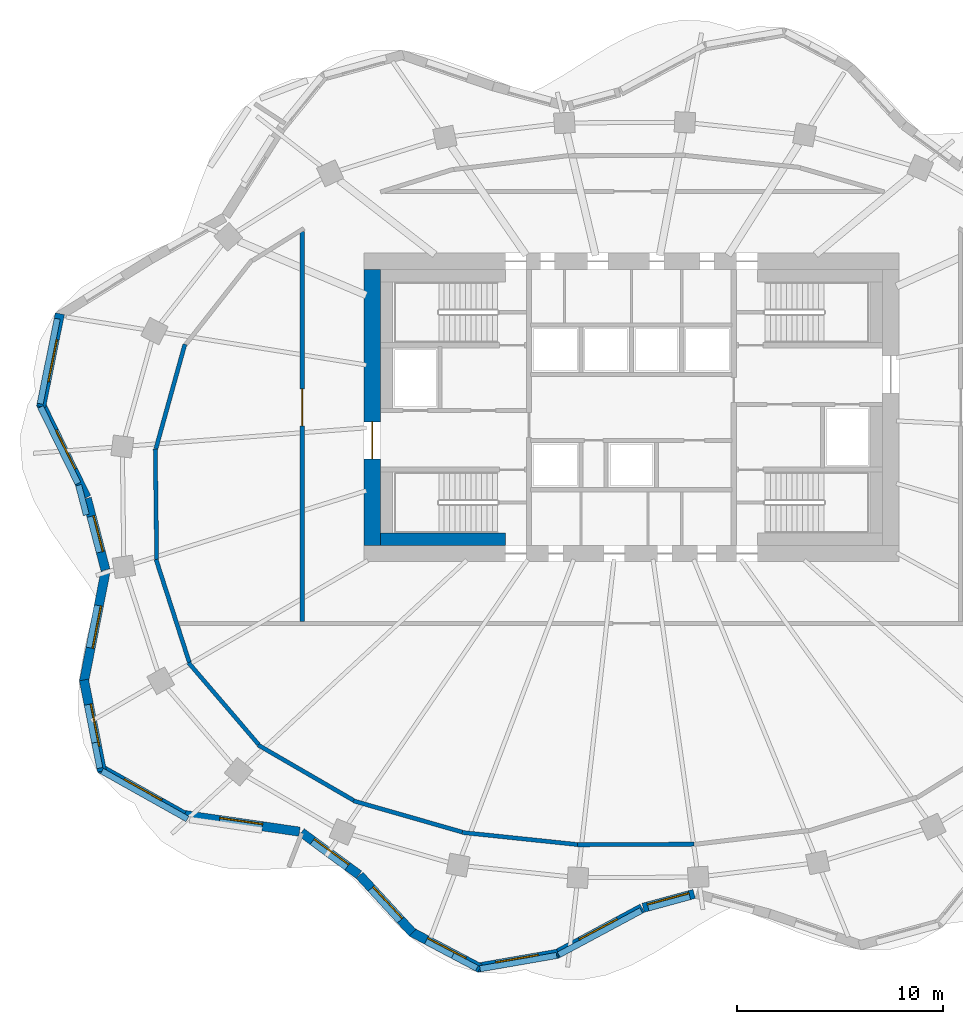
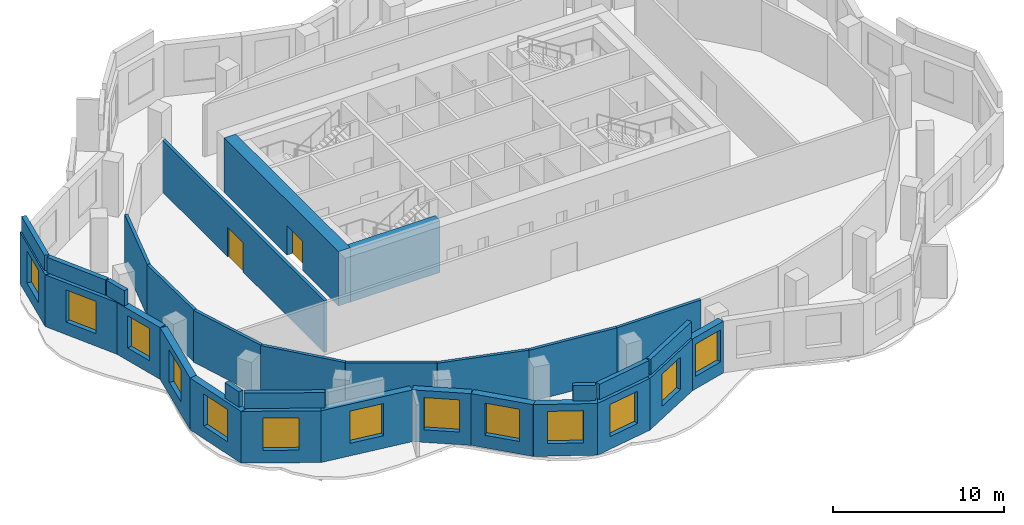
# One storey, part 3 of 8: 32 walls, 13 windows, 2 doors, 15 openings.
"""IFC4 building model written with IfcOpenShell, lengths in metres."""

from ifc_helpers import new_model, si_unit, direction, frame, frame_2d, origin, place, context, subcontext, project, spatial, rectangle, extrude, material, layer, layer_set, type_object, element, fill, save


model = new_model("IFC4")

# Units and contexts
model_context = context("Model", 3, precision=1e-05, world=origin(), true_north=direction((0.0, 1.0)))
body_context = subcontext(model_context, "Body", "Model", "MODEL_VIEW")
ifc_project = project(units=[si_unit("LENGTHUNIT", "METRE"), si_unit("AREAUNIT", "SQUARE_METRE"), si_unit("VOLUMEUNIT", "CUBIC_METRE"), si_unit("PLANEANGLEUNIT", "RADIAN"), si_unit("MASSUNIT", "GRAM", prefix="KILO")], contexts=[model_context])

# Site, building, storey
site_placement = place(None, origin())
site = spatial("IfcSite", under=ifc_project, at=site_placement, CompositionType="ELEMENT")
building_placement = place(site_placement, origin())
building = spatial("IfcBuilding", under=site, at=building_placement, Name="Rubra Terraces Tower", CompositionType="ELEMENT")
storey_placement = place(building_placement, frame((0.0, 0.0, 193.5)))
storey = spatial("IfcBuildingStorey", under=building, at=storey_placement, Name="L47", CompositionType="ELEMENT", Elevation=193.5)

# Wall, opening, window
ifc_material_1 = material(Name="Brick masonry red-brown", Category="masonry")
ifc_layer_1 = layer(ifc_material_1, 0.449951171875)
ifc_layer_set_1 = layer_set([ifc_layer_1], Name="Brick masonry red-brown")
wall_type_1 = type_object("IfcWallType", Name="Brick facade wall 450", PredefinedType="SOLIDWALL", material=ifc_layer_set_1)
wall_1_placement = place(storey_placement, frame((-27.779541015625, 9.053466796875, 0.0), z_axis=(0.0, 0.0, 1.0), x_axis=(-0.197796229105, -0.980243159503, 0.0)))
wall_1 = element("IfcWall", 1, at=wall_1_placement, inside=storey, type_object=wall_type_1, Name="Facade wall L47 bay 19", PredefinedType="SOLIDWALL", context=body_context, shape_type="SweptSolid", body=[
    extrude(rectangle(XDim=4.610107421875, YDim=0.449951171875, at=frame_2d((2.30517578125, 0.0))), origin(), (0.0, 0.0, 1.0), 3.699951171875),
])
opening_1_placement = place(wall_1_placement, frame((1.255126953125, 0.0, 0.89990234375)))
opening_1 = element("IfcOpeningElement", 2, at=opening_1_placement, cuts=wall_1, Name="Opening W1B", PredefinedType="OPENING", context=body_context, shape_type="SweptSolid", body=[
    extrude(rectangle(XDim=2.10009765625, YDim=2.300048828125, at=frame_2d((1.050048828125, 1.14990234375))), frame((0.0, 0.23486328125, 0.0), z_axis=(0.0, -1.0, 0.0), x_axis=(1.0, 0.0, 0.0)), (0.0, 0.0, 1.0), 0.469970703125),
])
ifc_material_2 = material(Name="Clear glass in aluminium frame", Category="aluminium")
window_type_1 = type_object("IfcWindowType", Name="Fixed deep-set window tall storey 2100 x 2300", PartitioningType="SINGLE_PANEL", PredefinedType="WINDOW", material=ifc_material_2)
window_1_placement = place(opening_1_placement, origin())
window_1 = element("IfcWindow", 3, at=window_1_placement, inside=storey, type_object=window_type_1, Name="Window L47 bay 19", OverallHeight=2.300048828125, OverallWidth=2.10009765625, PartitioningType="SINGLE_PANEL", PredefinedType="WINDOW", context=body_context, shape_type="SweptSolid", body=[
    extrude(rectangle(XDim=2.10009765625, YDim=2.300048828125, at=frame_2d((1.050048828125, 1.14990234375))), frame((0.0, 0.135009765625, 0.0), z_axis=(0.0, -1.0, 0.0), x_axis=(1.0, 0.0, 0.0)), (0.0, 0.0, 1.0), 0.06005859375),
])
fill(opening_1, window_1)

wall_2_placement = place(storey_placement, frame((-28.70703125, 4.672119140625, 0.0), z_axis=(0.0, 0.0, 1.0), x_axis=(0.439053549989, -0.898460895221, 0.0)))
wall_2 = element("IfcWall", 4, at=wall_2_placement, inside=storey, type_object=wall_type_1, Name="Facade wall L47 bay 20", PredefinedType="SOLIDWALL", context=body_context, shape_type="SweptSolid", body=[
    extrude(rectangle(XDim=5.061767578125, YDim=0.449951171875, at=frame_2d((2.53076171875, 0.0))), origin(), (0.0, 0.0, 1.0), 3.699951171875),
])
opening_2_placement = place(wall_2_placement, frame((1.48095703125, 0.0, 0.89990234375)))
opening_2 = element("IfcOpeningElement", 5, at=opening_2_placement, cuts=wall_2, Name="Opening W1B", PredefinedType="OPENING", context=body_context, shape_type="SweptSolid", body=[
    extrude(rectangle(XDim=2.10009765625, YDim=2.300048828125, at=frame_2d((1.050048828125, 1.14990234375))), frame((0.0, 0.23486328125, 0.0), z_axis=(0.0, -1.0, 0.0), x_axis=(1.0, 0.0, 0.0)), (0.0, 0.0, 1.0), 0.469970703125),
])
window_2_placement = place(opening_2_placement, origin())
window_2 = element("IfcWindow", 6, at=window_2_placement, inside=storey, type_object=window_type_1, Name="Window L47 bay 20", OverallHeight=2.300048828125, OverallWidth=2.10009765625, PartitioningType="SINGLE_PANEL", PredefinedType="WINDOW", context=body_context, shape_type="SweptSolid", body=[
    extrude(rectangle(XDim=2.10009765625, YDim=2.300048828125, at=frame_2d((1.050048828125, 1.14990234375))), frame((0.0, 0.135009765625, 0.0), z_axis=(0.0, -1.0, 0.0), x_axis=(1.0, 0.0, 0.0)), (0.0, 0.0, 1.0), 0.06005859375),
])
fill(opening_2, window_2)

wall_3_placement = place(storey_placement, frame((-26.469482421875, 0.0791015625, 0.0), z_axis=(0.0, 0.0, 1.0), x_axis=(0.252446779859, -0.967610780913, 0.0)))
wall_3 = element("IfcWall", 7, at=wall_3_placement, inside=storey, type_object=wall_type_1, Name="Facade wall L47 bay 21", PredefinedType="SOLIDWALL", context=body_context, shape_type="SweptSolid", body=[
    extrude(rectangle(XDim=3.5947265625, YDim=0.449951171875, at=frame_2d((1.79736328125, 0.0))), origin(), (0.0, 0.0, 1.0), 3.699951171875),
])
opening_3_placement = place(wall_3_placement, frame((0.897216796875, 0.0, 0.89990234375)))
opening_3 = element("IfcOpeningElement", 8, at=opening_3_placement, cuts=wall_3, Name="Opening W6B", PredefinedType="OPENING", context=body_context, shape_type="SweptSolid", body=[
    extrude(rectangle(XDim=1.800048828125, YDim=2.300048828125, at=frame_2d((0.89990234375, 1.14990234375))), frame((0.0, 0.23486328125, 0.0), z_axis=(0.0, -1.0, 0.0), x_axis=(1.0, 0.0, 0.0)), (0.0, 0.0, 1.0), 0.469970703125),
])
window_type_2 = type_object("IfcWindowType", Name="Fixed deep-set window at wind fin tall storey 1800 x 2300", PartitioningType="SINGLE_PANEL", PredefinedType="WINDOW", material=ifc_material_2)
window_3_placement = place(opening_3_placement, origin())
window_3 = element("IfcWindow", 9, at=window_3_placement, inside=storey, type_object=window_type_2, Name="Window L47 bay 21", OverallHeight=2.300048828125, OverallWidth=1.800048828125, PartitioningType="SINGLE_PANEL", PredefinedType="WINDOW", context=body_context, shape_type="SweptSolid", body=[
    extrude(rectangle(XDim=1.800048828125, YDim=2.300048828125, at=frame_2d((0.89990234375, 1.14990234375))), frame((0.0, 0.135009765625, 0.0), z_axis=(0.0, -1.0, 0.0), x_axis=(1.0, 0.0, 0.0)), (0.0, 0.0, 1.0), 0.06005859375),
])
fill(opening_3, window_3)

wall_4_placement = place(storey_placement, frame((-25.561279296875, -3.490478515625, 0.0), z_axis=(0.0, 0.0, 1.0), x_axis=(-0.192494026297, -0.981298145234, 0.0)))
wall_4 = element("IfcWall", 10, at=wall_4_placement, inside=storey, type_object=wall_type_1, Name="Facade wall L47 bay 22", PredefinedType="SOLIDWALL", context=body_context, shape_type="SweptSolid", body=[
    extrude(rectangle(XDim=5.446044921875, YDim=0.449951171875, at=frame_2d((2.72314453125, 0.0))), origin(), (0.0, 0.0, 1.0), 3.699951171875),
])
opening_4_placement = place(wall_4_placement, frame((1.673095703125, 0.0, 0.89990234375)))
opening_4 = element("IfcOpeningElement", 11, at=opening_4_placement, cuts=wall_4, Name="Opening W1B", PredefinedType="OPENING", context=body_context, shape_type="SweptSolid", body=[
    extrude(rectangle(XDim=2.10009765625, YDim=2.300048828125, at=frame_2d((1.050048828125, 1.14990234375))), frame((0.0, 0.23486328125, 0.0), z_axis=(0.0, -1.0, 0.0), x_axis=(1.0, 0.0, 0.0)), (0.0, 0.0, 1.0), 0.469970703125),
])
window_4_placement = place(opening_4_placement, origin())
window_4 = element("IfcWindow", 12, at=window_4_placement, inside=storey, type_object=window_type_1, Name="Window L47 bay 22", OverallHeight=2.300048828125, OverallWidth=2.10009765625, PartitioningType="SINGLE_PANEL", PredefinedType="WINDOW", context=body_context, shape_type="SweptSolid", body=[
    extrude(rectangle(XDim=2.10009765625, YDim=2.300048828125, at=frame_2d((1.050048828125, 1.14990234375))), frame((0.0, 0.135009765625, 0.0), z_axis=(0.0, -1.0, 0.0), x_axis=(1.0, 0.0, 0.0)), (0.0, 0.0, 1.0), 0.06005859375),
])
fill(opening_4, window_4)

wall_5_placement = place(storey_placement, frame((-26.609619140625, -8.747802734375, 0.0), z_axis=(0.0, 0.0, 1.0), x_axis=(0.193923166402, -0.981016720312, 0.0)))
wall_5 = element("IfcWall", 13, at=wall_5_placement, inside=storey, type_object=wall_type_1, Name="Facade wall L47 bay 23", PredefinedType="SOLIDWALL", context=body_context, shape_type="SweptSolid", body=[
    extrude(rectangle(XDim=4.518310546875, YDim=0.449951171875, at=frame_2d((2.25927734375, 0.0))), origin(), (0.0, 0.0, 1.0), 3.699951171875),
])
opening_5_placement = place(wall_5_placement, frame((1.209228515625, 0.0, 0.89990234375)))
opening_5 = element("IfcOpeningElement", 14, at=opening_5_placement, cuts=wall_5, Name="Opening W1B", PredefinedType="OPENING", context=body_context, shape_type="SweptSolid", body=[
    extrude(rectangle(XDim=2.10009765625, YDim=2.300048828125, at=frame_2d((1.050048828125, 1.14990234375))), frame((0.0, 0.23486328125, 0.0), z_axis=(0.0, -1.0, 0.0), x_axis=(1.0, 0.0, 0.0)), (0.0, 0.0, 1.0), 0.469970703125),
])
window_5_placement = place(opening_5_placement, origin())
window_5 = element("IfcWindow", 15, at=window_5_placement, inside=storey, type_object=window_type_1, Name="Window L47 bay 23", OverallHeight=2.300048828125, OverallWidth=2.10009765625, PartitioningType="SINGLE_PANEL", PredefinedType="WINDOW", context=body_context, shape_type="SweptSolid", body=[
    extrude(rectangle(XDim=2.10009765625, YDim=2.300048828125, at=frame_2d((1.050048828125, 1.14990234375))), frame((0.0, 0.135009765625, 0.0), z_axis=(0.0, -1.0, 0.0), x_axis=(1.0, 0.0, 0.0)), (0.0, 0.0, 1.0), 0.06005859375),
])
fill(opening_5, window_5)

wall_6_placement = place(storey_placement, frame((-25.843994140625, -13.027587890625, 0.0), z_axis=(0.0, 0.0, 1.0), x_axis=(0.872346398261, -0.488888291373, 0.0)))
wall_6 = element("IfcWall", 16, at=wall_6_placement, inside=storey, type_object=wall_type_1, Name="Facade wall L47 bay 24", PredefinedType="SOLIDWALL", context=body_context, shape_type="SweptSolid", body=[
    extrude(rectangle(XDim=4.696044921875, YDim=0.449951171875, at=frame_2d((2.34814453125, 0.0))), origin(), (0.0, 0.0, 1.0), 3.699951171875),
])
opening_6_placement = place(wall_6_placement, frame((1.298095703125, 0.0, 0.89990234375)))
opening_6 = element("IfcOpeningElement", 17, at=opening_6_placement, cuts=wall_6, Name="Opening W1B", PredefinedType="OPENING", context=body_context, shape_type="SweptSolid", body=[
    extrude(rectangle(XDim=2.10009765625, YDim=2.300048828125, at=frame_2d((1.050048828125, 1.14990234375))), frame((0.0, 0.23486328125, 0.0), z_axis=(0.0, -1.0, 0.0), x_axis=(1.0, 0.0, 0.0)), (0.0, 0.0, 1.0), 0.469970703125),
])
window_6_placement = place(opening_6_placement, origin())
window_6 = element("IfcWindow", 18, at=window_6_placement, inside=storey, type_object=window_type_1, Name="Window L47 bay 24", OverallHeight=2.300048828125, OverallWidth=2.10009765625, PartitioningType="SINGLE_PANEL", PredefinedType="WINDOW", context=body_context, shape_type="SweptSolid", body=[
    extrude(rectangle(XDim=2.10009765625, YDim=2.300048828125, at=frame_2d((1.050048828125, 1.14990234375))), frame((0.0, 0.135009765625, 0.0), z_axis=(0.0, -1.0, 0.0), x_axis=(1.0, 0.0, 0.0)), (0.0, 0.0, 1.0), 0.06005859375),
])
fill(opening_6, window_6)

wall_7_placement = place(storey_placement, frame((-21.8251953125, -15.297119140625, 0.0), z_axis=(0.0, 0.0, 1.0), x_axis=(0.98971474215, -0.143054986527, 0.0)))
wall_7 = element("IfcWall", 19, at=wall_7_placement, inside=storey, type_object=wall_type_1, Name="Facade wall L47 bay 25", PredefinedType="SOLIDWALL", context=body_context, shape_type="SweptSolid", body=[
    extrude(rectangle(XDim=5.7529296875, YDim=0.449951171875, at=frame_2d((2.87646484375, 0.0))), origin(), (0.0, 0.0, 1.0), 3.699951171875),
])
opening_7_placement = place(wall_7_placement, frame((1.826416015625, 0.0, 0.89990234375)))
opening_7 = element("IfcOpeningElement", 20, at=opening_7_placement, cuts=wall_7, Name="Opening W1B", PredefinedType="OPENING", context=body_context, shape_type="SweptSolid", body=[
    extrude(rectangle(XDim=2.10009765625, YDim=2.300048828125, at=frame_2d((1.050048828125, 1.14990234375))), frame((0.0, 0.23486328125, 0.0), z_axis=(0.0, -1.0, 0.0), x_axis=(1.0, 0.0, 0.0)), (0.0, 0.0, 1.0), 0.469970703125),
])
window_7_placement = place(opening_7_placement, origin())
window_7 = element("IfcWindow", 21, at=window_7_placement, inside=storey, type_object=window_type_1, Name="Window L47 bay 25", OverallHeight=2.300048828125, OverallWidth=2.10009765625, PartitioningType="SINGLE_PANEL", PredefinedType="WINDOW", context=body_context, shape_type="SweptSolid", body=[
    extrude(rectangle(XDim=2.10009765625, YDim=2.300048828125, at=frame_2d((1.050048828125, 1.14990234375))), frame((0.0, 0.135009765625, 0.0), z_axis=(0.0, -1.0, 0.0), x_axis=(1.0, 0.0, 0.0)), (0.0, 0.0, 1.0), 0.06005859375),
])
fill(opening_7, window_7)

wall_8_placement = place(storey_placement, frame((-16.03564453125, -16.15771484375, 0.0), z_axis=(0.0, 0.0, 1.0), x_axis=(0.805181432967, -0.593028549064, 0.0)))
wall_8 = element("IfcWall", 22, at=wall_8_placement, inside=storey, type_object=wall_type_1, Name="Facade wall L47 bay 26", PredefinedType="SOLIDWALL", context=body_context, shape_type="SweptSolid", body=[
    extrude(rectangle(XDim=3.468505859375, YDim=0.449951171875, at=frame_2d((1.734375, 0.0))), origin(), (0.0, 0.0, 1.0), 3.699951171875),
])
opening_8_placement = place(wall_8_placement, frame((0.684326171875, 0.0, 0.89990234375)))
opening_8 = element("IfcOpeningElement", 23, at=opening_8_placement, cuts=wall_8, Name="Opening W1B", PredefinedType="OPENING", context=body_context, shape_type="SweptSolid", body=[
    extrude(rectangle(XDim=2.10009765625, YDim=2.300048828125, at=frame_2d((1.050048828125, 1.14990234375))), frame((0.0, 0.23486328125, 0.0), z_axis=(0.0, -1.0, 0.0), x_axis=(1.0, 0.0, 0.0)), (0.0, 0.0, 1.0), 0.469970703125),
])
window_8_placement = place(opening_8_placement, origin())
window_8 = element("IfcWindow", 24, at=window_8_placement, inside=storey, type_object=window_type_1, Name="Window L47 bay 26", OverallHeight=2.300048828125, OverallWidth=2.10009765625, PartitioningType="SINGLE_PANEL", PredefinedType="WINDOW", context=body_context, shape_type="SweptSolid", body=[
    extrude(rectangle(XDim=2.10009765625, YDim=2.300048828125, at=frame_2d((1.050048828125, 1.14990234375))), frame((0.0, 0.135009765625, 0.0), z_axis=(0.0, -1.0, 0.0), x_axis=(1.0, 0.0, 0.0)), (0.0, 0.0, 1.0), 0.06005859375),
])
fill(opening_8, window_8)

wall_9_placement = place(storey_placement, frame((-13.20947265625, -18.242919921875, 0.0), z_axis=(0.0, 0.0, 1.0), x_axis=(0.677612152497, -0.735419452278, 0.0)))
wall_9 = element("IfcWall", 25, at=wall_9_placement, inside=storey, type_object=wall_type_1, Name="Facade wall L47 bay 27", PredefinedType="SOLIDWALL", context=body_context, shape_type="SweptSolid", body=[
    extrude(rectangle(XDim=3.796875, YDim=0.449951171875, at=frame_2d((1.8984375, 0.0))), origin(), (0.0, 0.0, 1.0), 3.699951171875),
])
opening_9_placement = place(wall_9_placement, frame((0.848388671875, 0.0, 0.89990234375)))
opening_9 = element("IfcOpeningElement", 26, at=opening_9_placement, cuts=wall_9, Name="Opening W1B", PredefinedType="OPENING", context=body_context, shape_type="SweptSolid", body=[
    extrude(rectangle(XDim=2.10009765625, YDim=2.300048828125, at=frame_2d((1.050048828125, 1.14990234375))), frame((0.0, 0.23486328125, 0.0), z_axis=(0.0, -1.0, 0.0), x_axis=(1.0, 0.0, 0.0)), (0.0, 0.0, 1.0), 0.469970703125),
])
window_9_placement = place(opening_9_placement, origin())
window_9 = element("IfcWindow", 27, at=window_9_placement, inside=storey, type_object=window_type_1, Name="Window L47 bay 27", OverallHeight=2.300048828125, OverallWidth=2.10009765625, PartitioningType="SINGLE_PANEL", PredefinedType="WINDOW", context=body_context, shape_type="SweptSolid", body=[
    extrude(rectangle(XDim=2.10009765625, YDim=2.300048828125, at=frame_2d((1.050048828125, 1.14990234375))), frame((0.0, 0.135009765625, 0.0), z_axis=(0.0, -1.0, 0.0), x_axis=(1.0, 0.0, 0.0)), (0.0, 0.0, 1.0), 0.06005859375),
])
fill(opening_9, window_9)

wall_10_placement = place(storey_placement, frame((-10.692626953125, -20.9931640625, 0.0), z_axis=(0.0, 0.0, 1.0), x_axis=(0.883817790726, -0.46783128668, 0.0)))
wall_10 = element("IfcWall", 28, at=wall_10_placement, inside=storey, type_object=wall_type_1, Name="Facade wall L47 bay 28", PredefinedType="SOLIDWALL", context=body_context, shape_type="SweptSolid", body=[
    extrude(rectangle(XDim=3.776611328125, YDim=0.449951171875, at=frame_2d((1.88818359375, 0.0))), origin(), (0.0, 0.0, 1.0), 3.699951171875),
])
opening_10_placement = place(wall_10_placement, frame((0.83837890625, 0.0, 0.89990234375)))
opening_10 = element("IfcOpeningElement", 29, at=opening_10_placement, cuts=wall_10, Name="Opening W1B", PredefinedType="OPENING", context=body_context, shape_type="SweptSolid", body=[
    extrude(rectangle(XDim=2.10009765625, YDim=2.300048828125, at=frame_2d((1.050048828125, 1.14990234375))), frame((0.0, 0.23486328125, 0.0), z_axis=(0.0, -1.0, 0.0), x_axis=(1.0, 0.0, 0.0)), (0.0, 0.0, 1.0), 0.469970703125),
])
window_10_placement = place(opening_10_placement, origin())
window_10 = element("IfcWindow", 30, at=window_10_placement, inside=storey, type_object=window_type_1, Name="Window L47 bay 28", OverallHeight=2.300048828125, OverallWidth=2.10009765625, PartitioningType="SINGLE_PANEL", PredefinedType="WINDOW", context=body_context, shape_type="SweptSolid", body=[
    extrude(rectangle(XDim=2.10009765625, YDim=2.300048828125, at=frame_2d((1.050048828125, 1.14990234375))), frame((0.0, 0.135009765625, 0.0), z_axis=(0.0, -1.0, 0.0), x_axis=(1.0, 0.0, 0.0)), (0.0, 0.0, 1.0), 0.06005859375),
])
fill(opening_10, window_10)

wall_11_placement = place(storey_placement, frame((-7.49853515625, -22.7373046875, 0.0), z_axis=(0.0, 0.0, 1.0), x_axis=(0.98521220506, 0.171338585849, 0.0)))
wall_11 = element("IfcWall", 31, at=wall_11_placement, inside=storey, type_object=wall_type_1, Name="Facade wall L47 bay 29", PredefinedType="SOLIDWALL", context=body_context, shape_type="SweptSolid", body=[
    extrude(rectangle(XDim=3.979736328125, YDim=0.449951171875, at=frame_2d((1.98974609375, 0.0))), origin(), (0.0, 0.0, 1.0), 3.699951171875),
])
opening_11_placement = place(wall_11_placement, frame((0.93994140625, 0.0, 0.89990234375)))
opening_11 = element("IfcOpeningElement", 32, at=opening_11_placement, cuts=wall_11, Name="Opening W1B", PredefinedType="OPENING", context=body_context, shape_type="SweptSolid", body=[
    extrude(rectangle(XDim=2.10009765625, YDim=2.300048828125, at=frame_2d((1.050048828125, 1.14990234375))), frame((0.0, 0.23486328125, 0.0), z_axis=(0.0, -1.0, 0.0), x_axis=(1.0, 0.0, 0.0)), (0.0, 0.0, 1.0), 0.469970703125),
])
window_11_placement = place(opening_11_placement, origin())
window_11 = element("IfcWindow", 33, at=window_11_placement, inside=storey, type_object=window_type_1, Name="Window L47 bay 29", OverallHeight=2.300048828125, OverallWidth=2.10009765625, PartitioningType="SINGLE_PANEL", PredefinedType="WINDOW", context=body_context, shape_type="SweptSolid", body=[
    extrude(rectangle(XDim=2.10009765625, YDim=2.300048828125, at=frame_2d((1.050048828125, 1.14990234375))), frame((0.0, 0.135009765625, 0.0), z_axis=(0.0, -1.0, 0.0), x_axis=(1.0, 0.0, 0.0)), (0.0, 0.0, 1.0), 0.06005859375),
])
fill(opening_11, window_11)

wall_12_placement = place(storey_placement, frame((-3.6455078125, -22.07861328125, 0.0), z_axis=(0.0, 0.0, 1.0), x_axis=(0.881279133897, 0.472596115259, 0.0)))
wall_12 = element("IfcWall", 34, at=wall_12_placement, inside=storey, type_object=wall_type_1, Name="Facade wall L47 bay 30", PredefinedType="SOLIDWALL", context=body_context, shape_type="SweptSolid", body=[
    extrude(rectangle(XDim=4.736572265625, YDim=0.449951171875, at=frame_2d((2.3681640625, 0.0))), origin(), (0.0, 0.0, 1.0), 3.699951171875),
])
opening_12_placement = place(wall_12_placement, frame((1.318115234375, 0.0, 0.89990234375)))
opening_12 = element("IfcOpeningElement", 35, at=opening_12_placement, cuts=wall_12, Name="Opening W1B", PredefinedType="OPENING", context=body_context, shape_type="SweptSolid", body=[
    extrude(rectangle(XDim=2.10009765625, YDim=2.300048828125, at=frame_2d((1.050048828125, 1.14990234375))), frame((0.0, 0.23486328125, 0.0), z_axis=(0.0, -1.0, 0.0), x_axis=(1.0, 0.0, 0.0)), (0.0, 0.0, 1.0), 0.469970703125),
])
window_12_placement = place(opening_12_placement, origin())
window_12 = element("IfcWindow", 36, at=window_12_placement, inside=storey, type_object=window_type_1, Name="Window L47 bay 30", OverallHeight=2.300048828125, OverallWidth=2.10009765625, PartitioningType="SINGLE_PANEL", PredefinedType="WINDOW", context=body_context, shape_type="SweptSolid", body=[
    extrude(rectangle(XDim=2.10009765625, YDim=2.300048828125, at=frame_2d((1.050048828125, 1.14990234375))), frame((0.0, 0.135009765625, 0.0), z_axis=(0.0, -1.0, 0.0), x_axis=(1.0, 0.0, 0.0)), (0.0, 0.0, 1.0), 0.06005859375),
])
fill(opening_12, window_12)

wall_13_placement = place(storey_placement, frame((0.576171875, -19.8212890625, 0.0), z_axis=(0.0, 0.0, 1.0), x_axis=(0.965009398019, 0.262215296532, 0.0)))
wall_13 = element("IfcWall", 37, at=wall_13_placement, inside=storey, type_object=wall_type_1, Name="Facade wall L47 bay 31", PredefinedType="SOLIDWALL", context=body_context, shape_type="SweptSolid", body=[
    extrude(rectangle(XDim=2.565185546875, YDim=0.449951171875, at=frame_2d((1.28271484375, 0.0))), origin(), (0.0, 0.0, 1.0), 3.699951171875),
])
opening_13_placement = place(wall_13_placement, frame((0.232666015625, 0.0, 0.89990234375)))
opening_13 = element("IfcOpeningElement", 38, at=opening_13_placement, cuts=wall_13, Name="Opening W1B", PredefinedType="OPENING", context=body_context, shape_type="SweptSolid", body=[
    extrude(rectangle(XDim=2.10009765625, YDim=2.300048828125, at=frame_2d((1.050048828125, 1.14990234375))), frame((0.0, 0.23486328125, 0.0), z_axis=(0.0, -1.0, 0.0), x_axis=(1.0, 0.0, 0.0)), (0.0, 0.0, 1.0), 0.469970703125),
])
window_13_placement = place(opening_13_placement, origin())
window_13 = element("IfcWindow", 39, at=window_13_placement, inside=storey, type_object=window_type_1, Name="Window L47 bay 31", OverallHeight=2.300048828125, OverallWidth=2.10009765625, PartitioningType="SINGLE_PANEL", PredefinedType="WINDOW", context=body_context, shape_type="SweptSolid", body=[
    extrude(rectangle(XDim=2.10009765625, YDim=2.300048828125, at=frame_2d((1.050048828125, 1.14990234375))), frame((0.0, 0.135009765625, 0.0), z_axis=(0.0, -1.0, 0.0), x_axis=(1.0, 0.0, 0.0)), (0.0, 0.0, 1.0), 0.06005859375),
])
fill(opening_13, window_13)

# Walls
ifc_layer_2 = layer(ifc_material_1, 0.300048828125)
ifc_layer_set_2 = layer_set([ifc_layer_2], Name="Brick masonry red-brown")
wall_type_2 = type_object("IfcWallType", Name="Brick parapet 300", PredefinedType="PARAPET", material=ifc_layer_set_2)
wall_14_placement = place(storey_placement, frame((-27.90478515625, 8.8115234375, 3.89990234375), z_axis=(0.0, 0.0, 1.0), x_axis=(-0.197841673862, -0.980233988435, 0.0)))
element("IfcWall", 40, at=wall_14_placement, inside=storey, type_object=wall_type_2, Name="Parapet L47 bay 19", PredefinedType="PARAPET", context=body_context, shape_type="SweptSolid", body=[
    extrude(rectangle(XDim=4.216552734375, YDim=0.300048828125, at=frame_2d((2.1083984375, 0.0))), origin(), (0.0, 0.0, 1.0), 1.10009765625),
])
wall_15_placement = place(storey_placement, frame((-28.719482421875, 4.5263671875, 3.89990234375), z_axis=(0.0, 0.0, 1.0), x_axis=(0.439134033243, -0.898421560765, 0.0)))
element("IfcWall", 41, at=wall_15_placement, inside=storey, type_object=wall_type_2, Name="Parapet L47 bay 20", PredefinedType="PARAPET", context=body_context, shape_type="SweptSolid", body=[
    extrude(rectangle(XDim=4.14306640625, YDim=0.300048828125, at=frame_2d((2.071533203125, 0.0))), origin(), (0.0, 0.0, 1.0), 1.10009765625),
])
wall_16_placement = place(storey_placement, frame((-26.869140625, 0.72021484375, 3.89990234375), z_axis=(0.0, 0.0, 1.0), x_axis=(0.252455198803, -0.967608584396, 0.0)))
element("IfcWall", 42, at=wall_16_placement, inside=storey, type_object=wall_type_2, Name="Parapet L47 bay 21", PredefinedType="PARAPET", context=body_context, shape_type="SweptSolid", body=[
    extrude(rectangle(XDim=1.4921875, YDim=0.300048828125, at=frame_2d((0.74609375, 0.0))), origin(), (0.0, 0.0, 1.0), 1.10009765625),
])
wall_17_placement = place(storey_placement, frame((-26.084228515625, -11.791748046875, 3.89990234375), z_axis=(0.0, 0.0, 1.0), x_axis=(0.193846183911, -0.981031934742, 0.0)))
element("IfcWall", 43, at=wall_17_placement, inside=storey, type_object=wall_type_2, Name="Parapet L47 bay 23", PredefinedType="PARAPET", context=body_context, shape_type="SweptSolid", body=[
    extrude(rectangle(XDim=1.261962890625, YDim=0.300048828125, at=frame_2d((0.630859375, 0.0))), origin(), (0.0, 0.0, 1.0), 1.10009765625),
])
wall_18_placement = place(storey_placement, frame((-25.733642578125, -13.175537109375, 3.89990234375), z_axis=(0.0, 0.0, 1.0), x_axis=(0.872345142407, -0.488890532245, 0.0)))
element("IfcWall", 44, at=wall_18_placement, inside=storey, type_object=wall_type_2, Name="Parapet L47 bay 24", PredefinedType="PARAPET", context=body_context, shape_type="SweptSolid", body=[
    extrude(rectangle(XDim=4.762939453125, YDim=0.300048828125, at=frame_2d((2.38134765625, 0.0))), origin(), (0.0, 0.0, 1.0), 1.10009765625),
])
wall_19_placement = place(storey_placement, frame((-8.681640625, -22.142578125, 3.89990234375), z_axis=(0.0, 0.0, 1.0), x_axis=(0.883787916347, -0.467887720419, 0.0)))
element("IfcWall", 45, at=wall_19_placement, inside=storey, type_object=wall_type_2, Name="Parapet L47 bay 28", PredefinedType="PARAPET", context=body_context, shape_type="SweptSolid", body=[
    extrude(rectangle(XDim=1.3291015625, YDim=0.300048828125, at=frame_2d((0.66455078125, 0.0))), origin(), (0.0, 0.0, 1.0), 1.10009765625),
])
wall_20_placement = place(storey_placement, frame((-7.35498046875, -22.78857421875, 3.89990234375), z_axis=(0.0, 0.0, 1.0), x_axis=(0.985197529684, 0.171422949176, 0.0)))
element("IfcWall", 46, at=wall_20_placement, inside=storey, type_object=wall_type_2, Name="Parapet L47 bay 29", PredefinedType="PARAPET", context=body_context, shape_type="SweptSolid", body=[
    extrude(rectangle(XDim=3.77978515625, YDim=0.300048828125, at=frame_2d((1.889892578125, 0.0))), origin(), (0.0, 0.0, 1.0), 1.10009765625),
])
wall_21_placement = place(storey_placement, frame((-3.52978515625, -22.105712890625, 3.89990234375), z_axis=(0.0, 0.0, 1.0), x_axis=(0.881258931682, 0.472633785643, 0.0)))
element("IfcWall", 47, at=wall_21_placement, inside=storey, type_object=wall_type_2, Name="Parapet L47 bay 30", PredefinedType="PARAPET", context=body_context, shape_type="SweptSolid", body=[
    extrude(rectangle(XDim=4.55029296875, YDim=0.300048828125, at=frame_2d((2.275146484375, 0.0))), origin(), (0.0, 0.0, 1.0), 1.10009765625),
])

# Wall, opening, door
ifc_material_3 = material(Name="Concrete C50", Category="concrete")
ifc_layer_3 = layer(ifc_material_3, 0.800048828125)
ifc_layer_set_3 = layer_set([ifc_layer_3], Name="Concrete C50")
wall_type_3 = type_object("IfcWallType", Name="CORE WALL 800 C50", PredefinedType="SHEAR", material=ifc_layer_set_3)
wall_22_placement = place(storey_placement, frame((-12.60009765625, -2.199951171875, 0.0), z_axis=(0.0, 0.0, 1.0), x_axis=(0.0, 1.0, 0.0)))
wall_22 = element("IfcWall", 48, at=wall_22_placement, inside=storey, type_object=wall_type_3, Name="CORE WALL W L47", PredefinedType="SHEAR", context=body_context, shape_type="SweptSolid", body=[
    extrude(rectangle(XDim=13.39990234375, YDim=0.800048828125, at=frame_2d((6.699951171875, 0.0))), origin(), (0.0, 0.0, 1.0), 3.89990234375),
])
opening_14_placement = place(wall_22_placement, frame((4.199951171875, 0.0, 0.0)))
opening_14 = element("IfcOpeningElement", 49, at=opening_14_placement, cuts=wall_22, Name="Opening L47.C01", PredefinedType="OPENING", context=body_context, shape_type="SweptSolid", body=[
    extrude(rectangle(XDim=1.800048828125, YDim=2.10009765625, at=frame_2d((0.89990234375, 1.050048828125))), frame((0.0, 0.409912109375, 0.0), z_axis=(0.0, -1.0, 0.0), x_axis=(1.0, 0.0, 0.0)), (0.0, 0.0, 1.0), 0.820068359375),
])
ifc_material_4 = material(Name="Painted steel", Category="steel")
door_type_1 = type_object("IfcDoorType", Name="Fire door 1800x2100 double", OperationType="NOTDEFINED", PredefinedType="DOOR", material=ifc_material_4)
door_1_placement = place(opening_14_placement, origin())
door_1 = element("IfcDoor", 50, at=door_1_placement, inside=storey, type_object=door_type_1, Name="Core entrance door FF1", OperationType="DOUBLE_DOOR_SINGLE_SWING", OverallHeight=2.10009765625, OverallWidth=1.800048828125, PredefinedType="DOOR", context=body_context, shape_type="SweptSolid", body=[
    extrude(rectangle(XDim=1.800048828125, YDim=2.10009765625, at=frame_2d((0.89990234375, 1.050048828125))), frame((0.0, 0.02490234375, 0.0), z_axis=(0.0, -1.0, 0.0), x_axis=(1.0, 0.0, 0.0)), (0.0, 0.0, 1.0), 0.050048828125),
])
fill(opening_14, door_1)

# Walls
ifc_material_5 = material(Name="Concrete C40", Category="concrete")
ifc_layer_4 = layer(ifc_material_5, 0.60009765625)
ifc_layer_set_4 = layer_set([ifc_layer_4], Name="Concrete C40")
wall_type_4 = type_object("IfcWallType", Name="Core lining wall 600 concrete", PredefinedType="SOLIDWALL", material=ifc_layer_set_4)
wall_23_placement = place(storey_placement, frame((-12.199951171875, -1.89990234375, 0.0), z_axis=(0.0, 0.0, 1.0), x_axis=(1.0, 0.0, 0.0)))
element("IfcWall", 51, at=wall_23_placement, inside=storey, type_object=wall_type_4, Name="CORE LINING WALL L47", PredefinedType="SOLIDWALL", context=body_context, shape_type="SweptSolid", body=[
    extrude(rectangle(XDim=6.079833984375, YDim=0.60009765625, at=frame_2d((3.0400390625, 0.0))), origin(), (0.0, 0.0, 1.0), 3.699951171875),
])
ifc_material_6 = material(Name="Blockwork", Category="masonry")
ifc_layer_5 = layer(ifc_material_6, 0.199951171875)
ifc_layer_set_5 = layer_set([ifc_layer_5], Name="Blockwork")
wall_type_5 = type_object("IfcWallType", Name="Corridor partition 200 blockwork", PredefinedType="PARTITIONING", material=ifc_layer_set_5)
wall_24_placement = place(storey_placement, frame((3.052978515625, -16.72998046875, 0.0), z_axis=(0.0, 0.0, 1.0), x_axis=(-0.999987762334, -0.004947239951, 0.0)))
element("IfcWall", 52, at=wall_24_placement, inside=storey, type_object=wall_type_5, Name="Partition wall", PredefinedType="PARTITIONING", context=body_context, shape_type="SweptSolid", body=[
    extrude(rectangle(XDim=5.675048828125, YDim=0.199951171875, at=frame_2d((2.83740234375, 0.0))), origin(), (0.0, 0.0, 1.0), 3.699951171875),
])
wall_25_placement = place(storey_placement, frame((-2.62109375, -16.748046875, 0.0), z_axis=(0.0, 0.0, 1.0), x_axis=(-0.99455907377, 0.104174127222, 0.0)))
element("IfcWall", 53, at=wall_25_placement, inside=storey, type_object=wall_type_5, Name="Partition wall", PredefinedType="PARTITIONING", context=body_context, shape_type="SweptSolid", body=[
    extrude(rectangle(XDim=5.62451171875, YDim=0.199951171875, at=frame_2d((2.812255859375, 0.0))), origin(), (0.0, 0.0, 1.0), 3.699951171875),
])
wall_26_placement = place(storey_placement, frame((-8.2119140625, -16.14404296875, 0.0), z_axis=(0.0, 0.0, 1.0), x_axis=(-0.961229052449, 0.275751171762, 0.0)))
element("IfcWall", 54, at=wall_26_placement, inside=storey, type_object=wall_type_5, Name="Partition wall", PredefinedType="PARTITIONING", context=body_context, shape_type="SweptSolid", body=[
    extrude(rectangle(XDim=5.5087890625, YDim=0.199951171875, at=frame_2d((2.75439453125, 0.0))), origin(), (0.0, 0.0, 1.0), 3.699951171875),
])
wall_27_placement = place(storey_placement, frame((-13.498046875, -14.60302734375, 0.0), z_axis=(0.0, 0.0, 1.0), x_axis=(-0.865099094035, 0.501600994317, 0.0)))
element("IfcWall", 55, at=wall_27_placement, inside=storey, type_object=wall_type_5, Name="Partition wall", PredefinedType="PARTITIONING", context=body_context, shape_type="SweptSolid", body=[
    extrude(rectangle(XDim=5.3671875, YDim=0.199951171875, at=frame_2d((2.68359375, 0.0))), origin(), (0.0, 0.0, 1.0), 3.699951171875),
])
wall_28_placement = place(storey_placement, frame((-18.118896484375, -11.885009765625, 0.0), z_axis=(0.0, 0.0, 1.0), x_axis=(-0.650510608515, 0.759497168006, 0.0)))
element("IfcWall", 56, at=wall_28_placement, inside=storey, type_object=wall_type_5, Name="Partition wall", PredefinedType="PARTITIONING", context=body_context, shape_type="SweptSolid", body=[
    extrude(rectangle(XDim=5.228271484375, YDim=0.199951171875, at=frame_2d((2.6142578125, 0.0))), origin(), (0.0, 0.0, 1.0), 3.699951171875),
])
wall_29_placement = place(storey_placement, frame((-21.486083984375, -7.89501953125, 0.0), z_axis=(0.0, 0.0, 1.0), x_axis=(-0.307481575482, 0.951554034587, 0.0)))
element("IfcWall", 57, at=wall_29_placement, inside=storey, type_object=wall_type_5, Name="Partition wall", PredefinedType="PARTITIONING", context=body_context, shape_type="SweptSolid", body=[
    extrude(rectangle(XDim=5.2587890625, YDim=0.199951171875, at=frame_2d((2.62939453125, 0.0))), origin(), (0.0, 0.0, 1.0), 3.699951171875),
])
wall_30_placement = place(storey_placement, frame((-23.072998046875, -2.885986328125, 0.0), z_axis=(0.0, 0.0, 1.0), x_axis=(-0.012666982201, 0.999919770563, 0.0)))
element("IfcWall", 58, at=wall_30_placement, inside=storey, type_object=wall_type_5, Name="Partition wall", PredefinedType="PARTITIONING", context=body_context, shape_type="SweptSolid", body=[
    extrude(rectangle(XDim=5.37744140625, YDim=0.199951171875, at=frame_2d((2.688720703125, 0.0))), origin(), (0.0, 0.0, 1.0), 3.699951171875),
])
wall_31_placement = place(storey_placement, frame((-23.113037109375, 2.487060546875, 0.0), z_axis=(0.0, 0.0, 1.0), x_axis=(0.267500643582, 0.963557681555, 0.0)))
element("IfcWall", 59, at=wall_31_placement, inside=storey, type_object=wall_type_5, Name="Partition wall", PredefinedType="PARTITIONING", context=body_context, shape_type="SweptSolid", body=[
    extrude(rectangle(XDim=5.275146484375, YDim=0.199951171875, at=frame_2d((2.6376953125, 0.0))), origin(), (0.0, 0.0, 1.0), 3.699951171875),
])

# Wall, opening, door
wall_32_placement = place(storey_placement, frame((-16.0, 13.047119140625, 0.0), z_axis=(0.0, 0.0, 1.0), x_axis=(0.0, -1.0, 0.0)))
wall_32 = element("IfcWall", 60, at=wall_32_placement, inside=storey, type_object=wall_type_5, Name="Partition wall", PredefinedType="PARTITIONING", context=body_context, shape_type="SweptSolid", body=[
    extrude(rectangle(XDim=18.947021484375, YDim=0.199951171875, at=frame_2d((9.4736328125, 0.0))), origin(), (0.0, 0.0, 1.0), 3.699951171875),
])
opening_15_placement = place(wall_32_placement, frame((7.64697265625, 0.0, 0.0)))
opening_15 = element("IfcOpeningElement", 61, at=opening_15_placement, cuts=wall_32, Name="Opening DB3", PredefinedType="OPENING", context=body_context, shape_type="SweptSolid", body=[
    extrude(rectangle(XDim=1.800048828125, YDim=2.10009765625, at=frame_2d((0.89990234375, 1.050048828125))), frame((0.0, 0.10986328125, 0.0), z_axis=(0.0, -1.0, 0.0), x_axis=(1.0, 0.0, 0.0)), (0.0, 0.0, 1.0), 0.219970703125),
])
door_type_2 = type_object("IfcDoorType", Name="Door 1800x2100 double", OperationType="NOTDEFINED", PredefinedType="DOOR", material=ifc_material_4)
door_2_placement = place(opening_15_placement, origin())
door_2 = element("IfcDoor", 62, at=door_2_placement, inside=storey, type_object=door_type_2, Name="Refuge area door L47-02", OperationType="DOUBLE_DOOR_SINGLE_SWING", OverallHeight=2.10009765625, OverallWidth=1.800048828125, PredefinedType="DOOR", context=body_context, shape_type="SweptSolid", body=[
    extrude(rectangle(XDim=1.800048828125, YDim=2.10009765625, at=frame_2d((0.89990234375, 1.050048828125))), frame((0.0, 0.02490234375, 0.0), z_axis=(0.0, -1.0, 0.0), x_axis=(1.0, 0.0, 0.0)), (0.0, 0.0, 1.0), 0.050048828125),
])
fill(opening_15, door_2)

save(model, "model.ifc")
